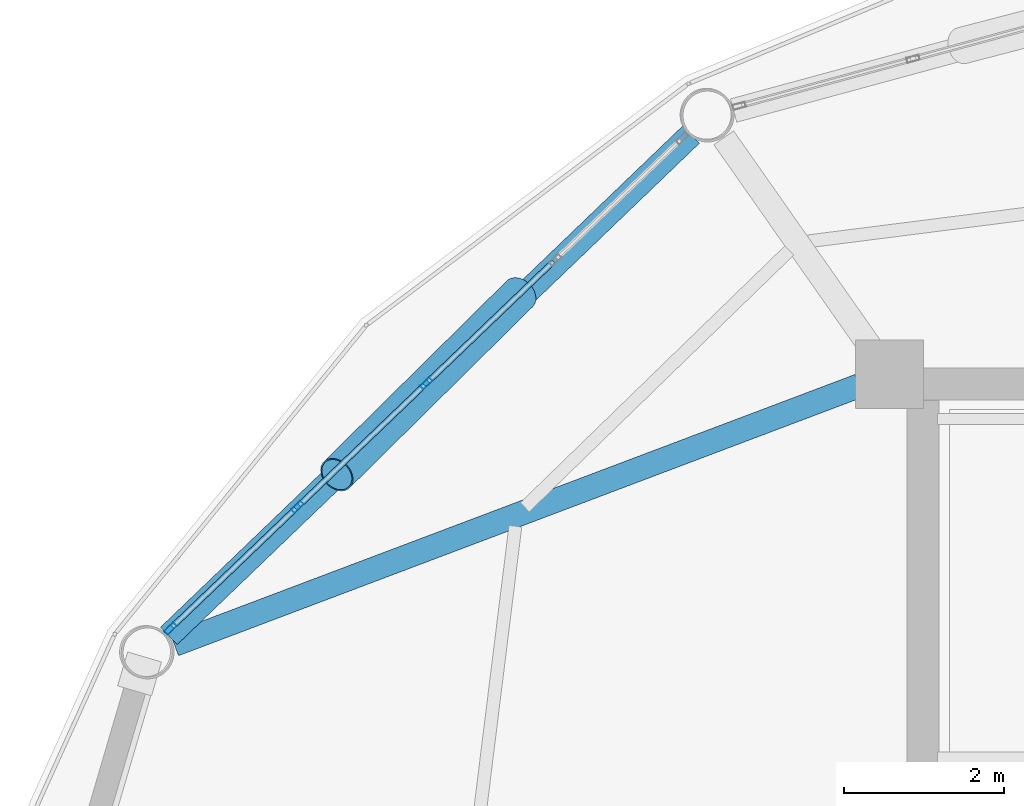
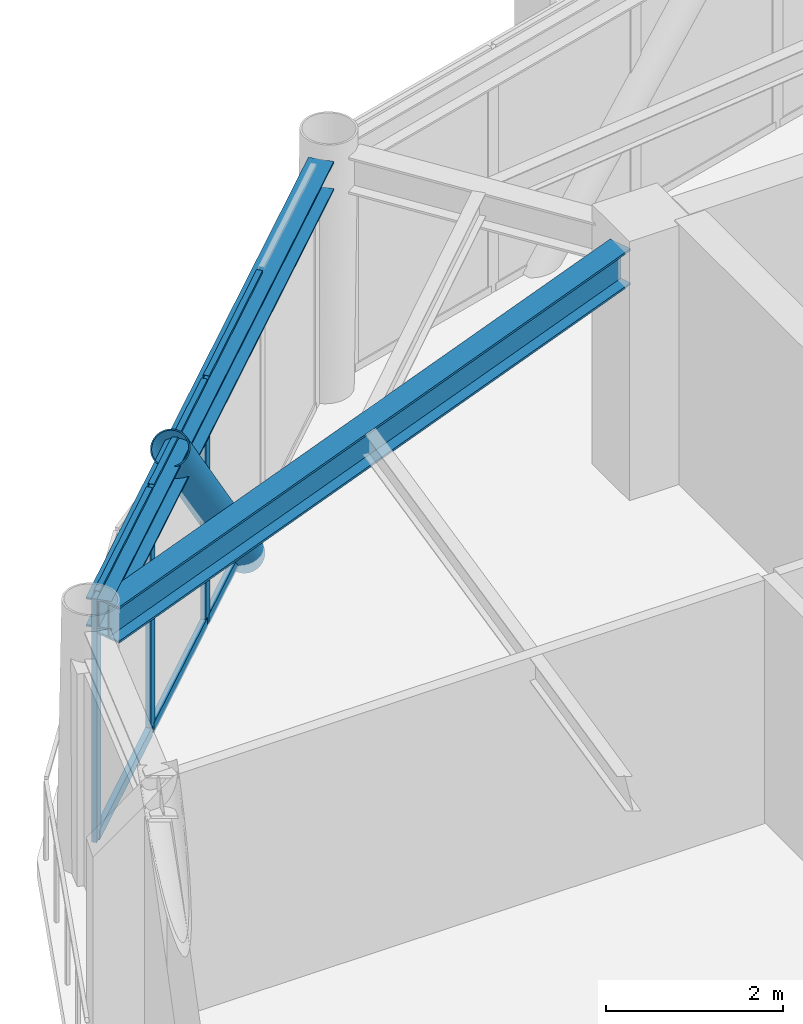
# One storey, part 13 of 28: 10 members, 2 beams, 1 element without a shape of its own.
"""IFC4 building model written with IfcOpenShell, lengths in metres."""

from ifc_helpers import new_model, si_unit, direction, frame, origin, origin_2d, place, context, subcontext, project, spatial, hollow_rectangle, hollow_circle, i_section, extrude, material, layer, layer_set, material_profile, profile_set, type_object, element, aggregate, save


model = new_model("IFC4")

# Units and contexts
model_context = context("Model", 3, precision=1e-05, world=origin(), true_north=direction((0.0, 1.0)))
body_context = subcontext(model_context, "Body", "Model", "MODEL_VIEW")
ifc_project = project(units=[si_unit("LENGTHUNIT", "METRE"), si_unit("AREAUNIT", "SQUARE_METRE"), si_unit("VOLUMEUNIT", "CUBIC_METRE"), si_unit("PLANEANGLEUNIT", "RADIAN"), si_unit("MASSUNIT", "GRAM", prefix="KILO")], contexts=[model_context])

# Site, building, storey
site_placement = place(None, origin())
site = spatial("IfcSite", under=ifc_project, at=site_placement, CompositionType="ELEMENT")
building_placement = place(site_placement, origin())
building = spatial("IfcBuilding", under=site, at=building_placement, Name="Varnakorn Sky Granary", CompositionType="ELEMENT")
storey_placement = place(building_placement, frame((0.0, 0.0, 207.60009765625)))
storey = spatial("IfcBuildingStorey", under=building, at=storey_placement, Name="L52", CompositionType="ELEMENT", Elevation=207.60009765625)

# Beams
ifc_material_1 = material(Name="Steel S355JR", Category="steel")
ifc_material_profile_1 = material_profile(ifc_material_1, i_section(OverallWidth=0.300048828125, OverallDepth=0.5, WebThickness=0.014404296875, FlangeThickness=0.028076171875, at=origin_2d()), Name="HE 500 B")
ifc_profile_set_1 = profile_set([ifc_material_profile_1], Name="Steel S355JR")
beam_type_1 = type_object("IfcBeamType", Name="BM-RAD-Z4", PredefinedType="BEAM", material=ifc_profile_set_1)
beam_1_placement = place(storey_placement, frame((-2.798828125, 12.476806640625, 3.10986328125), z_axis=(-0.935478377732, -0.353383933981, 0.0), x_axis=(0.353383933981, -0.935478377732, 0.0)))
element("IfcBeam", 1, at=beam_1_placement, inside=storey, type_object=beam_type_1, Name="Radial Floor Girder RG06 L52", PredefinedType="BEAM", context=body_context, shape_type="SweptSolid", body=[
    extrude(i_section(OverallWidth=0.300048828125, OverallDepth=0.5, WebThickness=0.014404296875, FlangeThickness=0.028076171875, at=origin_2d()), origin(), (0.0, 0.0, 1.0), 9.13330078125),
])
ifc_material_profile_2 = material_profile(ifc_material_1, i_section(OverallWidth=0.300048828125, OverallDepth=0.39990234375, WebThickness=0.013427734375, FlangeThickness=0.02392578125, at=origin_2d()), Name="HE 400 B")
ifc_profile_set_2 = profile_set([ifc_material_profile_2], Name="Steel S355JR")
beam_type_2 = type_object("IfcBeamType", Name="BM-SPD-Z4", PredefinedType="SPANDREL", material=ifc_profile_set_2)
beam_2_placement = place(storey_placement, frame((-4.896240234375, 15.609375, 3.159912109375), z_axis=(-0.72139758679, -0.692521134532, 0.0), x_axis=(0.692521134532, -0.72139758679, 0.0)))
element("IfcBeam", 2, at=beam_2_placement, inside=storey, type_object=beam_type_2, Name="Perimeter Spandrel Ring Beam RB05 L52", PredefinedType="SPANDREL", context=body_context, shape_type="SweptSolid", body=[
    extrude(i_section(OverallWidth=0.300048828125, OverallDepth=0.39990234375, WebThickness=0.013427734375, FlangeThickness=0.02392578125, at=origin_2d()), origin(), (0.0, 0.0, 1.0), 9.029541015625),
])

# Curtain wall, members
ifc_material_2 = material(Name="Anodised Bronze Aluminium Alloy 6063-T6", Category="aluminium")
ifc_layer = layer(ifc_material_2, 0.169921875, Name="Anodised Bronze Aluminium Alloy 6063-T6")
ifc_layer_set = layer_set([ifc_layer], Name="Anodised Bronze Aluminium Alloy 6063-T6")
curtain_wall_type = type_object("IfcCurtainWallType", Name="CW-LAB-1", PredefinedType="USERDEFINED", material=ifc_layer_set)
curtain_wall_placement = place(storey_placement, origin())
curtain_wall = element("IfcCurtainWall", 3, at=curtain_wall_placement, inside=storey, type_object=curtain_wall_type, Name="Unitised Curtain Wall CW5 CW-L52-B05", ObjectType="CURTAIN WALL", PredefinedType="USERDEFINED")
ifc_material_profile_3 = material_profile(ifc_material_2, hollow_rectangle(XDim=0.06494140625, YDim=0.159912109375, WallThickness=0.00341796875, at=origin_2d()), Name="ALU MULL 65x160")
ifc_profile_set_3 = profile_set([ifc_material_profile_3], Name="Anodised Bronze Aluminium Alloy 6063-T6")
member_type_1 = type_object("IfcMemberType", Name="CW-LAB-1-MULL", PredefinedType="MULLION", material=ifc_profile_set_3)
member_1_placement = place(storey_placement, frame((-11.390380859375, 9.447265625, 0.0), z_axis=(0.0, 0.0, 1.0), x_axis=(-0.691923166337, 0.721971143389, 0.0)))
member_1 = element("IfcMember", 4, at=member_1_placement, type_object=member_type_1, Name="CW5 mullion 1", PredefinedType="MULLION", context=body_context, shape_type="SweptSolid", body=[
    extrude(hollow_rectangle(XDim=0.06494140625, YDim=0.159912109375, WallThickness=0.00341796875, at=origin_2d()), origin(), (0.0, 0.0, 1.0), 3.35986328125),
])
member_2_placement = place(storey_placement, frame((-9.806396484375, 10.96533203125, 0.0), z_axis=(0.0, 0.0, 1.0), x_axis=(-0.691923166337, 0.721971143389, 0.0)))
member_2 = element("IfcMember", 5, at=member_2_placement, type_object=member_type_1, Name="CW5 mullion 2", PredefinedType="MULLION", context=body_context, shape_type="SweptSolid", body=[
    extrude(hollow_rectangle(XDim=0.06494140625, YDim=0.159912109375, WallThickness=0.00341796875, at=origin_2d()), origin(), (0.0, 0.0, 1.0), 3.35986328125),
])
member_3_placement = place(storey_placement, frame((-8.198974609375, 12.505859375, 0.0), z_axis=(0.0, 0.0, 1.0), x_axis=(-0.691923166337, 0.721971143389, 0.0)))
member_3 = element("IfcMember", 6, at=member_3_placement, type_object=member_type_1, Name="CW5 mullion 3", PredefinedType="MULLION", context=body_context, shape_type="SweptSolid", body=[
    extrude(hollow_rectangle(XDim=0.06494140625, YDim=0.159912109375, WallThickness=0.00341796875, at=origin_2d()), origin(), (0.0, 0.0, 1.0), 3.35986328125),
])
ifc_material_profile_4 = material_profile(ifc_material_2, hollow_rectangle(XDim=0.070068359375, YDim=0.139892578125, WallThickness=0.00341796875, at=origin_2d()), Name="ALU TRAN 70x140")
ifc_profile_set_4 = profile_set([ifc_material_profile_4], Name="Anodised Bronze Aluminium Alloy 6063-T6")
member_type_2 = type_object("IfcMemberType", Name="CW-LAB-1-TRAN", PredefinedType="USERDEFINED", material=ifc_profile_set_4)
member_4_placement = place(storey_placement, frame((-11.366943359375, 9.469970703125, 0.034912109375), z_axis=(0.722026396147, 0.691865509523, 0.0), x_axis=(-0.691865509523, 0.722026396147, 0.0)))
member_4 = element("IfcMember", 7, at=member_4_placement, type_object=member_type_2, Name="CW5 transom 1.1", ObjectType="TRANSOM", PredefinedType="USERDEFINED", context=body_context, shape_type="SweptSolid", body=[
    extrude(hollow_rectangle(XDim=0.070068359375, YDim=0.139892578125, WallThickness=0.00341796875, at=origin_2d()), origin(), (0.0, 0.0, 1.0), 2.12890625),
])
member_5_placement = place(storey_placement, frame((-11.366943359375, 9.469970703125, 3.324951171875), z_axis=(0.722026396147, 0.691865509523, 0.0), x_axis=(-0.691865509523, 0.722026396147, 0.0)))
member_5 = element("IfcMember", 8, at=member_5_placement, type_object=member_type_2, Name="CW5 transom 1.2", ObjectType="TRANSOM", PredefinedType="USERDEFINED", context=body_context, shape_type="SweptSolid", body=[
    extrude(hollow_rectangle(XDim=0.070068359375, YDim=0.139892578125, WallThickness=0.00341796875, at=origin_2d()), origin(), (0.0, 0.0, 1.0), 2.12890625),
])
member_6_placement = place(storey_placement, frame((-9.782958984375, 10.98779296875, 0.034912109375), z_axis=(0.721969397067, 0.691924988491, 0.0), x_axis=(-0.691924988491, 0.721969397067, 0.0)))
member_6 = element("IfcMember", 9, at=member_6_placement, type_object=member_type_2, Name="CW5 transom 2.1", ObjectType="TRANSOM", PredefinedType="USERDEFINED", context=body_context, shape_type="SweptSolid", body=[
    extrude(hollow_rectangle(XDim=0.070068359375, YDim=0.139892578125, WallThickness=0.00341796875, at=origin_2d()), origin(), (0.0, 0.0, 1.0), 2.16162109375),
])
member_7_placement = place(storey_placement, frame((-9.782958984375, 10.98779296875, 3.324951171875), z_axis=(0.721969397067, 0.691924988491, 0.0), x_axis=(-0.691924988491, 0.721969397067, 0.0)))
member_7 = element("IfcMember", 10, at=member_7_placement, type_object=member_type_2, Name="CW5 transom 2.2", ObjectType="TRANSOM", PredefinedType="USERDEFINED", context=body_context, shape_type="SweptSolid", body=[
    extrude(hollow_rectangle(XDim=0.070068359375, YDim=0.139892578125, WallThickness=0.00341796875, at=origin_2d()), origin(), (0.0, 0.0, 1.0), 2.16162109375),
])
member_8_placement = place(storey_placement, frame((-8.175537109375, 12.5283203125, 0.034912109375), z_axis=(0.721969397067, 0.691924988491, 0.0), x_axis=(-0.691924988491, 0.721969397067, 0.0)))
member_8 = element("IfcMember", 11, at=member_8_placement, type_object=member_type_2, Name="CW5 transom 3.1", ObjectType="TRANSOM", PredefinedType="USERDEFINED", context=body_context, shape_type="SweptSolid", body=[
    extrude(hollow_rectangle(XDim=0.070068359375, YDim=0.139892578125, WallThickness=0.00341796875, at=origin_2d()), origin(), (0.0, 0.0, 1.0), 2.16162109375),
])
member_9_placement = place(storey_placement, frame((-8.175537109375, 12.5283203125, 3.324951171875), z_axis=(0.721969397067, 0.691924988491, 0.0), x_axis=(-0.691924988491, 0.721969397067, 0.0)))
member_9 = element("IfcMember", 12, at=member_9_placement, type_object=member_type_2, Name="CW5 transom 3.2", ObjectType="TRANSOM", PredefinedType="USERDEFINED", context=body_context, shape_type="SweptSolid", body=[
    extrude(hollow_rectangle(XDim=0.070068359375, YDim=0.139892578125, WallThickness=0.00341796875, at=origin_2d()), origin(), (0.0, 0.0, 1.0), 2.16162109375),
])
aggregate(curtain_wall, [member_1, member_2, member_3, member_4, member_5, member_6, member_7, member_8, member_9])

# Member
ifc_material_3 = material(Name="Steel S460M", Category="steel")
ifc_material_profile_5 = material_profile(ifc_material_3, hollow_circle(Radius=0.228515625, WallThickness=0.01611328125, at=origin_2d()), Name="CHS 457x16")
ifc_profile_set_5 = profile_set([ifc_material_profile_5], Name="Steel S460M")
member_type_3 = type_object("IfcMemberType", Name="MB-DIAG-T3", PredefinedType="BRACE", material=ifc_profile_set_5)
member_10_placement = place(storey_placement, frame((-7.033447265625, 13.622802734375, -0.130126953125), z_axis=(-0.471652416332, -0.466200954329, 0.748465542527), x_axis=(0.702984704357, -0.711204967249, 0.0)))
element("IfcMember", 13, at=member_10_placement, inside=storey, type_object=member_type_3, Name="Perimeter CHS Diagrid Brace DG05 L52", PredefinedType="BRACE", context=body_context, shape_type="SweptSolid", body=[
    extrude(hollow_circle(Radius=0.228515625, WallThickness=0.01611328125, at=origin_2d()), origin(), (0.0, 0.0, 1.0), 4.836669921875),
])

save(model, "model.ifc")
